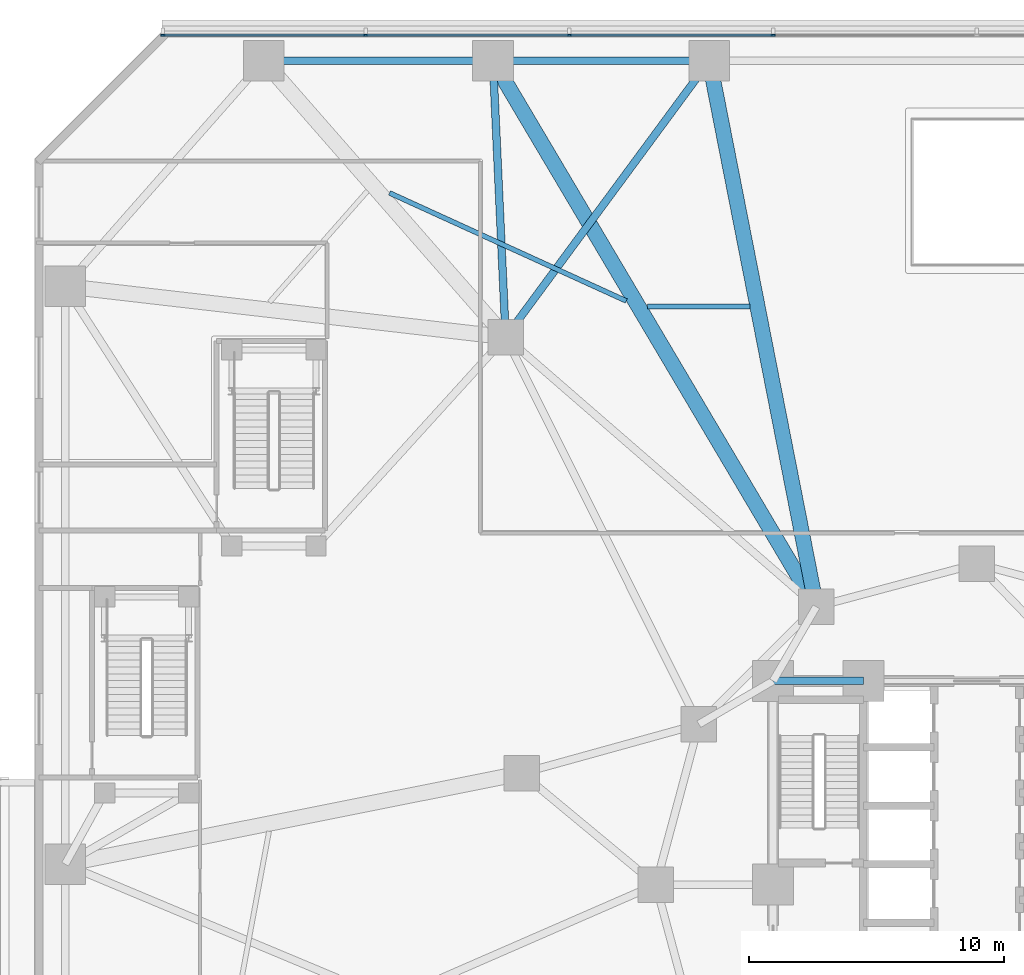
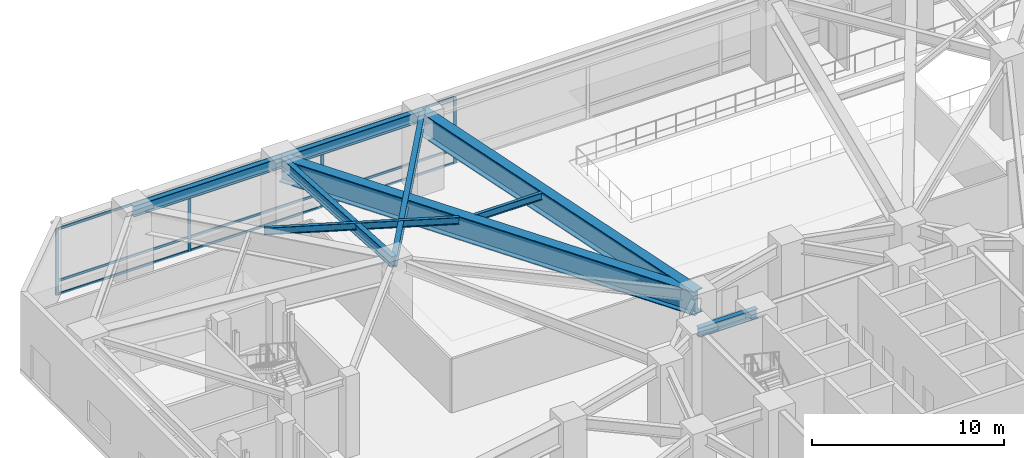
# One storey, part 10 of 30: 13 members, 9 beams, 1 element without a shape of its own.
"""IFC4 building model written with IfcOpenShell, lengths in metres."""

from ifc_helpers import new_model, si_unit, direction, frame, origin, origin_2d, place, context, subcontext, project, spatial, rectangle, i_section, extrude, material, layer, layer_set, material_profile, profile_set, type_object, element, aggregate, save


model = new_model("IFC4")

# Units and contexts
model_context = context("Model", 3, precision=1e-05, world=origin(), true_north=direction((0.0, 1.0)))
body_context = subcontext(model_context, "Body", "Model", "MODEL_VIEW")
ifc_project = project(units=[si_unit("LENGTHUNIT", "METRE"), si_unit("AREAUNIT", "SQUARE_METRE"), si_unit("VOLUMEUNIT", "CUBIC_METRE"), si_unit("PLANEANGLEUNIT", "RADIAN"), si_unit("MASSUNIT", "GRAM", prefix="KILO")], contexts=[model_context])

# Site, building, storey
site_placement = place(None, origin())
site = spatial("IfcSite", under=ifc_project, at=site_placement, CompositionType="ELEMENT")
building_placement = place(site_placement, origin())
building = spatial("IfcBuilding", under=site, at=building_placement, Name="Terralouvre Media Tower", CompositionType="ELEMENT")
storey_placement = place(building_placement, origin())
storey = spatial("IfcBuildingStorey", under=building, at=storey_placement, Name="L00", CompositionType="ELEMENT", Elevation=0.0)

# Beams
ifc_material_1 = material(Name="Structural steel S355J2", Category="steel")
ifc_material_profile_1 = material_profile(ifc_material_1, i_section(OverallWidth=0.18994140625, OverallDepth=0.449951171875, WebThickness=0.009521484375, FlangeThickness=0.0146484375, at=origin_2d()), Name="IPE 450")
ifc_profile_set_1 = profile_set([ifc_material_profile_1], Name="Structural steel S355J2")
beam_type_1 = type_object("IfcBeamType", Name="Composite Floor Joist J-IPE450 (IPE 450)", PredefinedType="JOIST", material=ifc_profile_set_1)
beam_1_placement = place(storey_placement, frame((-8.913818359375, 22.702880859375, 4.72509765625), z_axis=(-1.0, 0.0, 0.0), x_axis=(0.0, -1.0, 0.0)))
element("IfcBeam", 1, at=beam_1_placement, inside=storey, type_object=beam_type_1, Name="L00 Framing Beam JT-L00-14", PredefinedType="JOIST", context=body_context, shape_type="SweptSolid", body=[
    extrude(i_section(OverallWidth=0.18994140625, OverallDepth=0.449951171875, WebThickness=0.009521484375, FlangeThickness=0.0146484375, at=origin_2d()), origin(), (0.0, 0.0, 1.0), 4.0244140625),
])
beam_2_placement = place(storey_placement, frame((-13.760986328125, 22.920166015625, 4.72509765625), z_axis=(-0.909737414856, 0.415184098938, 0.0), x_axis=(-0.415184098938, -0.909737414856, 0.0)))
element("IfcBeam", 2, at=beam_2_placement, inside=storey, type_object=beam_type_1, Name="L00 Framing Beam JT-L00-15", PredefinedType="JOIST", context=body_context, shape_type="SweptSolid", body=[
    extrude(i_section(OverallWidth=0.18994140625, OverallDepth=0.449951171875, WebThickness=0.009521484375, FlangeThickness=0.0146484375, at=origin_2d()), origin(), (0.0, 0.0, 1.0), 10.224609375),
])

# Curtain wall, members
ifc_material_2 = material(Name="Low-iron laminated double glazing with solar-control coating", Category="glass")
ifc_layer = layer(ifc_material_2, 0.1650390625, Name="Podium Broadcast Gallery Glazing CW-01")
ifc_layer_set = layer_set([ifc_layer], Name="Low-iron laminated double glazing with solar-control coating")
curtain_wall_type = type_object("IfcCurtainWallType", Name="Podium Broadcast Gallery Glazing CW-01", PredefinedType="NOTDEFINED", material=ifc_layer_set)
curtain_wall_placement = place(storey_placement, origin())
curtain_wall = element("IfcCurtainWall", 3, at=curtain_wall_placement, inside=storey, type_object=curtain_wall_type, Name="L00 Podium Curtain Wall F4", PredefinedType="NOTDEFINED")
ifc_material_3 = material(Name="Anodised extruded aluminium 6063-T6", Category="aluminium")
ifc_material_profile_2 = material_profile(ifc_material_3, rectangle(XDim=0.074951171875, YDim=0.14990234375, at=origin_2d()), Name="ALU 75x150")
ifc_profile_set_2 = profile_set([ifc_material_profile_2], Name="Anodised extruded aluminium 6063-T6")
member_type_1 = type_object("IfcMemberType", Name="Curtain-Wall Horizontal Transom TR-150", PredefinedType="USERDEFINED", material=ifc_profile_set_2)
member_1_placement = place(storey_placement, frame((-8.03759765625, 33.360107421875, 0.03759765625), z_axis=(-1.0, 0.0, 0.0), x_axis=(0.0, -1.0, 0.0)))
member_1 = element("IfcMember", 4, at=member_1_placement, type_object=member_type_1, Name="CW-01 transom 6.1", ObjectType="TRANSOM", PredefinedType="USERDEFINED", context=body_context, shape_type="SweptSolid", body=[
    extrude(rectangle(XDim=0.074951171875, YDim=0.14990234375, at=origin_2d()), origin(), (0.0, 0.0, 1.0), 7.9248046875),
])
member_2_placement = place(storey_placement, frame((-8.03759765625, 33.360107421875, 0.89990234375), z_axis=(-1.0, 0.0, 0.0), x_axis=(0.0, -1.0, 0.0)))
member_2 = element("IfcMember", 5, at=member_2_placement, type_object=member_type_1, Name="CW-01 transom 6.2", ObjectType="TRANSOM", PredefinedType="USERDEFINED", context=body_context, shape_type="SweptSolid", body=[
    extrude(rectangle(XDim=0.074951171875, YDim=0.14990234375, at=origin_2d()), origin(), (0.0, 0.0, 1.0), 7.9248046875),
])
member_3_placement = place(storey_placement, frame((-8.03759765625, 33.360107421875, 4.1923828125), z_axis=(-1.0, 0.0, 0.0), x_axis=(0.0, -1.0, 0.0)))
member_3 = element("IfcMember", 6, at=member_3_placement, type_object=member_type_1, Name="CW-01 transom 6.3", ObjectType="TRANSOM", PredefinedType="USERDEFINED", context=body_context, shape_type="SweptSolid", body=[
    extrude(rectangle(XDim=0.074951171875, YDim=0.14990234375, at=origin_2d()), origin(), (0.0, 0.0, 1.0), 7.9248046875),
])
member_4_placement = place(storey_placement, frame((-16.03759765625, 33.360107421875, 0.03759765625), z_axis=(-1.0, 0.0, 0.0), x_axis=(0.0, -1.0, 0.0)))
member_4 = element("IfcMember", 7, at=member_4_placement, type_object=member_type_1, Name="CW-01 transom 7.1", ObjectType="TRANSOM", PredefinedType="USERDEFINED", context=body_context, shape_type="SweptSolid", body=[
    extrude(rectangle(XDim=0.074951171875, YDim=0.14990234375, at=origin_2d()), origin(), (0.0, 0.0, 1.0), 7.9248046875),
])
member_5_placement = place(storey_placement, frame((-16.03759765625, 33.360107421875, 0.89990234375), z_axis=(-1.0, 0.0, 0.0), x_axis=(0.0, -1.0, 0.0)))
member_5 = element("IfcMember", 8, at=member_5_placement, type_object=member_type_1, Name="CW-01 transom 7.2", ObjectType="TRANSOM", PredefinedType="USERDEFINED", context=body_context, shape_type="SweptSolid", body=[
    extrude(rectangle(XDim=0.074951171875, YDim=0.14990234375, at=origin_2d()), origin(), (0.0, 0.0, 1.0), 7.9248046875),
])
member_6_placement = place(storey_placement, frame((-16.03759765625, 33.360107421875, 4.1923828125), z_axis=(-1.0, 0.0, 0.0), x_axis=(0.0, -1.0, 0.0)))
member_6 = element("IfcMember", 9, at=member_6_placement, type_object=member_type_1, Name="CW-01 transom 7.3", ObjectType="TRANSOM", PredefinedType="USERDEFINED", context=body_context, shape_type="SweptSolid", body=[
    extrude(rectangle(XDim=0.074951171875, YDim=0.14990234375, at=origin_2d()), origin(), (0.0, 0.0, 1.0), 7.9248046875),
])
member_7_placement = place(storey_placement, frame((-24.03759765625, 33.360107421875, 0.03759765625), z_axis=(-1.0, 0.0, 0.0), x_axis=(0.0, -1.0, 0.0)))
member_7 = element("IfcMember", 10, at=member_7_placement, type_object=member_type_1, Name="CW-01 transom 8.1", ObjectType="TRANSOM", PredefinedType="USERDEFINED", context=body_context, shape_type="SweptSolid", body=[
    extrude(rectangle(XDim=0.074951171875, YDim=0.14990234375, at=origin_2d()), origin(), (0.0, 0.0, 1.0), 7.887451171875),
])
member_8_placement = place(storey_placement, frame((-24.03759765625, 33.360107421875, 0.89990234375), z_axis=(-1.0, 0.0, 0.0), x_axis=(0.0, -1.0, 0.0)))
member_8 = element("IfcMember", 11, at=member_8_placement, type_object=member_type_1, Name="CW-01 transom 8.2", ObjectType="TRANSOM", PredefinedType="USERDEFINED", context=body_context, shape_type="SweptSolid", body=[
    extrude(rectangle(XDim=0.074951171875, YDim=0.14990234375, at=origin_2d()), origin(), (0.0, 0.0, 1.0), 7.887451171875),
])
member_9_placement = place(storey_placement, frame((-24.03759765625, 33.360107421875, 4.1923828125), z_axis=(-1.0, 0.0, 0.0), x_axis=(0.0, -1.0, 0.0)))
member_9 = element("IfcMember", 12, at=member_9_placement, type_object=member_type_1, Name="CW-01 transom 8.3", ObjectType="TRANSOM", PredefinedType="USERDEFINED", context=body_context, shape_type="SweptSolid", body=[
    extrude(rectangle(XDim=0.074951171875, YDim=0.14990234375, at=origin_2d()), origin(), (0.0, 0.0, 1.0), 7.887451171875),
])
ifc_material_4 = material(Name="Anodised extruded aluminium 6063-T6", Category="aluminium")
ifc_material_profile_3 = material_profile(ifc_material_4, rectangle(XDim=0.074951171875, YDim=0.179931640625, at=origin_2d()), Name="ALU 75x180")
ifc_profile_set_3 = profile_set([ifc_material_profile_3], Name="Anodised extruded aluminium 6063-T6")
member_type_2 = type_object("IfcMemberType", Name="Curtain-Wall Vertical Mullion ML-180", PredefinedType="MULLION", material=ifc_profile_set_3)
member_10_placement = place(storey_placement, frame((-8.0, 33.360107421875, 0.0), z_axis=(0.0, 0.0, 1.0), x_axis=(0.0, -1.0, 0.0)))
member_10 = element("IfcMember", 13, at=member_10_placement, type_object=member_type_2, Name="CW-01 mullion 6", PredefinedType="MULLION", context=body_context, shape_type="SweptSolid", body=[
    extrude(rectangle(XDim=0.074951171875, YDim=0.179931640625, at=origin_2d()), origin(), (0.0, 0.0, 1.0), 4.22998046875),
])
member_11_placement = place(storey_placement, frame((-16.0, 33.360107421875, 0.0), z_axis=(0.0, 0.0, 1.0), x_axis=(0.0, -1.0, 0.0)))
member_11 = element("IfcMember", 14, at=member_11_placement, type_object=member_type_2, Name="CW-01 mullion 7", PredefinedType="MULLION", context=body_context, shape_type="SweptSolid", body=[
    extrude(rectangle(XDim=0.074951171875, YDim=0.179931640625, at=origin_2d()), origin(), (0.0, 0.0, 1.0), 4.22998046875),
])
member_12_placement = place(storey_placement, frame((-24.0, 33.360107421875, 0.0), z_axis=(0.0, 0.0, 1.0), x_axis=(0.0, -1.0, 0.0)))
member_12 = element("IfcMember", 15, at=member_12_placement, type_object=member_type_2, Name="CW-01 mullion 8", PredefinedType="MULLION", context=body_context, shape_type="SweptSolid", body=[
    extrude(rectangle(XDim=0.074951171875, YDim=0.179931640625, at=origin_2d()), origin(), (0.0, 0.0, 1.0), 4.22998046875),
])
member_13_placement = place(storey_placement, frame((-31.96240234375, 33.360107421875, 0.0), z_axis=(0.0, 0.0, 1.0), x_axis=(0.0, -1.0, 0.0)))
member_13 = element("IfcMember", 16, at=member_13_placement, type_object=member_type_2, Name="CW-01 mullion 9", PredefinedType="MULLION", context=body_context, shape_type="SweptSolid", body=[
    extrude(rectangle(XDim=0.074951171875, YDim=0.179931640625, at=origin_2d()), origin(), (0.0, 0.0, 1.0), 4.22998046875),
])
aggregate(curtain_wall, [member_10, member_11, member_12, member_13, member_1, member_2, member_3, member_4, member_5, member_6, member_7, member_8, member_9])

# Beams
ifc_material_5 = material(Name="Structural steel S460M", Category="steel")
ifc_material_profile_4 = material_profile(ifc_material_5, i_section(OverallWidth=0.300048828125, OverallDepth=0.60009765625, WebThickness=0.015380859375, FlangeThickness=0.030029296875, at=origin_2d()), Name="HEB 600")
ifc_profile_set_4 = profile_set([ifc_material_profile_4], Name="Structural steel S460M")
beam_type_2 = type_object("IfcBeamType", Name="Primary Floor Girder B-HEB600 (HEB 600)", PredefinedType="BEAM", material=ifc_profile_set_4)
beam_3_placement = place(storey_placement, frame((-4.449951171875, 8.0, 4.64990234375), z_axis=(-1.0, 0.0, 0.0), x_axis=(0.0, -1.0, 0.0)))
element("IfcBeam", 17, at=beam_3_placement, inside=storey, type_object=beam_type_2, Name="L00 Framing Beam BM-L00-CPR08", PredefinedType="BEAM", context=body_context, shape_type="SweptSolid", body=[
    extrude(i_section(OverallWidth=0.300048828125, OverallDepth=0.60009765625, WebThickness=0.015380859375, FlangeThickness=0.030029296875, at=origin_2d()), origin(), (0.0, 0.0, 1.0), 3.550048828125),
])
ifc_material_6 = material(Name="Structural steel S460M", Category="steel")
ifc_material_profile_5 = material_profile(ifc_material_6, i_section(OverallWidth=0.300048828125, OverallDepth=0.699951171875, WebThickness=0.01708984375, FlangeThickness=0.031982421875, at=origin_2d()), Name="HEB 700")
ifc_profile_set_5 = profile_set([ifc_material_profile_5], Name="Structural steel S460M")
beam_type_3 = type_object("IfcBeamType", Name="Primary Floor Girder B-HEB700 (HEB 700)", PredefinedType="BEAM", material=ifc_profile_set_5)
beam_4_placement = place(storey_placement, frame((-18.5, 21.5, 4.60009765625), z_axis=(-0.046033681898, 0.998939888147, 0.0), x_axis=(-0.998939888147, -0.046033681898, 0.0)))
element("IfcBeam", 18, at=beam_4_placement, inside=storey, type_object=beam_type_3, Name="L00 Framing Beam BM-L00-PM19P1", PredefinedType="BEAM", context=body_context, shape_type="SweptSolid", body=[
    extrude(i_section(OverallWidth=0.300048828125, OverallDepth=0.699951171875, WebThickness=0.01708984375, FlangeThickness=0.031982421875, at=origin_2d()), origin(), (0.0, 0.0, 1.0), 10.861572265625),
])
beam_5_placement = place(storey_placement, frame((-18.5, 21.5, 4.60009765625), z_axis=(0.593448591359, 0.804871896276, 0.0), x_axis=(-0.804871896276, 0.593448591359, 0.0)))
element("IfcBeam", 19, at=beam_5_placement, inside=storey, type_object=beam_type_3, Name="L00 Framing Beam BM-L00-PM19P2", PredefinedType="BEAM", context=body_context, shape_type="SweptSolid", body=[
    extrude(i_section(OverallWidth=0.300048828125, OverallDepth=0.699951171875, WebThickness=0.01708984375, FlangeThickness=0.031982421875, at=origin_2d()), origin(), (0.0, 0.0, 1.0), 13.48046875),
])
beam_6_placement = place(storey_placement, frame((-10.5, 32.35009765625, 4.60009765625), z_axis=(-1.0, 0.0, 0.0), x_axis=(0.0, -1.0, 0.0)))
element("IfcBeam", 20, at=beam_6_placement, inside=storey, type_object=beam_type_3, Name="L00 Framing Beam BM-L00-PR14", PredefinedType="BEAM", context=body_context, shape_type="SweptSolid", body=[
    extrude(i_section(OverallWidth=0.300048828125, OverallDepth=0.699951171875, WebThickness=0.01708984375, FlangeThickness=0.031982421875, at=origin_2d()), origin(), (0.0, 0.0, 1.0), 8.5),
])
beam_7_placement = place(storey_placement, frame((-19.0, 32.35009765625, 4.60009765625), z_axis=(-1.0, 0.0, 0.0), x_axis=(0.0, -1.0, 0.0)))
element("IfcBeam", 21, at=beam_7_placement, inside=storey, type_object=beam_type_3, Name="L00 Framing Beam BM-L00-PR15", PredefinedType="BEAM", context=body_context, shape_type="SweptSolid", body=[
    extrude(i_section(OverallWidth=0.300048828125, OverallDepth=0.699951171875, WebThickness=0.01708984375, FlangeThickness=0.031982421875, at=origin_2d()), origin(), (0.0, 0.0, 1.0), 9.0),
])
ifc_material_7 = material(Name="Structural steel S460M", Category="steel")
ifc_material_profile_6 = material_profile(ifc_material_7, i_section(OverallWidth=0.60009765625, OverallDepth=1.5, WebThickness=0.033935546875, FlangeThickness=0.054931640625, at=origin_2d()), Name="PG 1500x600")
ifc_profile_set_6 = profile_set([ifc_material_profile_6], Name="Structural steel S460M")
beam_type_4 = type_object("IfcBeamType", Name="Primary Floor Girder B-PG1500 (PG 1500x600)", PredefinedType="BEAM", material=ifc_profile_set_6)
beam_8_placement = place(storey_placement, frame((-6.300048828125, 10.911865234375, 4.199951171875), z_axis=(-0.192254717948, 0.981345058288, 0.0), x_axis=(-0.981345058288, -0.192254717948, 0.0)))
element("IfcBeam", 22, at=beam_8_placement, inside=storey, type_object=beam_type_4, Name="L00 Framing Beam BM-L00-RD14", PredefinedType="BEAM", context=body_context, shape_type="SweptSolid", body=[
    extrude(i_section(OverallWidth=0.60009765625, OverallDepth=1.5, WebThickness=0.033935546875, FlangeThickness=0.054931640625, at=origin_2d()), origin(), (0.0, 0.0, 1.0), 21.845703125),
])
beam_9_placement = place(storey_placement, frame((-6.300048828125, 10.911865234375, 4.199951171875), z_axis=(-0.509678035934, 0.860365212969, 0.0), x_axis=(-0.860365212969, -0.509678035934, 0.0)))
element("IfcBeam", 23, at=beam_9_placement, inside=storey, type_object=beam_type_4, Name="L00 Framing Beam BM-L00-RD15", PredefinedType="BEAM", context=body_context, shape_type="SweptSolid", body=[
    extrude(i_section(OverallWidth=0.60009765625, OverallDepth=1.5, WebThickness=0.033935546875, FlangeThickness=0.054931640625, at=origin_2d()), origin(), (0.0, 0.0, 1.0), 24.91748046875),
])

save(model, "model.ifc")
